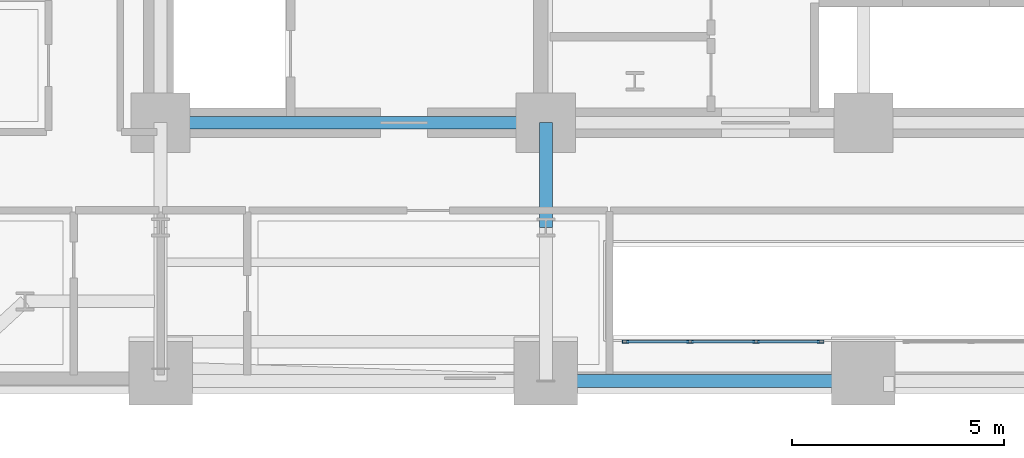
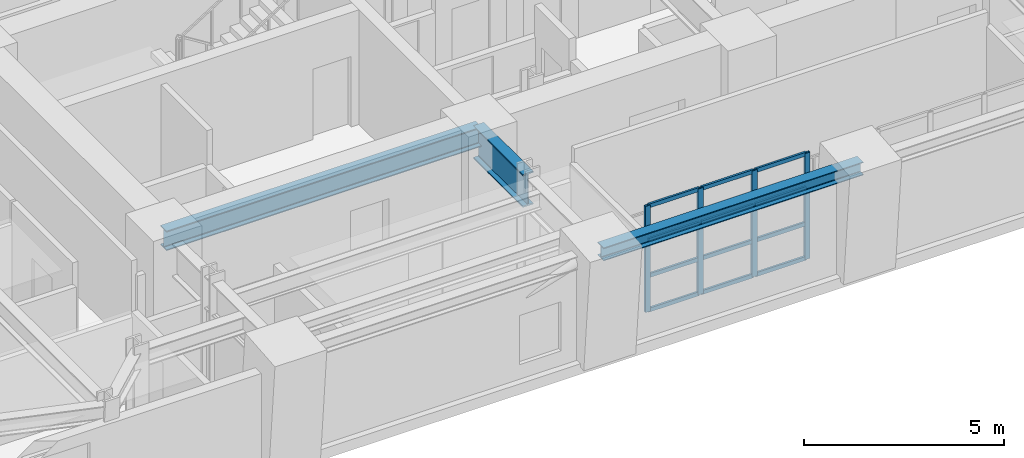
# One storey, part 2 of 16: 16 members, 3 beams, 1 element without a shape of its own.
"""IFC4 building model written with IfcOpenShell, lengths in metres."""

from ifc_helpers import new_model, si_unit, direction, frame, origin, origin_2d, place, context, subcontext, project, spatial, hollow_rectangle, i_section, extrude, material, layer, layer_set, material_profile, profile_set, type_object, element, aggregate, save


model = new_model("IFC4")

# Units and contexts
model_context = context("Model", 3, precision=1e-05, world=origin(), true_north=direction((0.0, 1.0)))
body_context = subcontext(model_context, "Body", "Model", "MODEL_VIEW")
ifc_project = project(units=[si_unit("LENGTHUNIT", "METRE"), si_unit("AREAUNIT", "SQUARE_METRE"), si_unit("VOLUMEUNIT", "CUBIC_METRE"), si_unit("PLANEANGLEUNIT", "RADIAN"), si_unit("MASSUNIT", "GRAM", prefix="KILO")], contexts=[model_context])

# Site, building, storey
site_placement = place(None, origin())
site = spatial("IfcSite", under=ifc_project, at=site_placement, CompositionType="ELEMENT")
building_placement = place(site_placement, origin())
building = spatial("IfcBuilding", under=site, at=building_placement, Name="Zarnavel Station Tower", CompositionType="ELEMENT")
storey_placement = place(building_placement, frame((0.0, 0.0, 46.5)))
storey = spatial("IfcBuildingStorey", under=building, at=storey_placement, Name="L12", CompositionType="ELEMENT", Elevation=46.5)

# Curtain wall, members
ifc_material_1 = material(Name="Aluminium Dark Anodised and Solar-Control Glass", Category="aluminium")
ifc_layer = layer(ifc_material_1, 0.179931640625)
ifc_layer_set = layer_set([ifc_layer], Name="CWS2")
curtain_wall_type = type_object("IfcCurtainWallType", Name="CWS2", PredefinedType="NOTDEFINED", material=ifc_layer_set)
curtain_wall_placement = place(storey_placement, origin())
curtain_wall = element("IfcCurtainWall", 1, at=curtain_wall_placement, inside=storey, type_object=curtain_wall_type, Name="L12 Curtain Wall CWS2-L12-AS-S1", PredefinedType="NOTDEFINED")
ifc_material_2 = material(Name="Steel S355J2 (Black Fluoropolymer Coated)", Category="steel")
ifc_material_profile_1 = material_profile(ifc_material_2, hollow_rectangle(XDim=0.074951171875, YDim=0.14990234375, WallThickness=0.00634765625, at=origin_2d()), Name="RHS150x75x6.3")
ifc_profile_set_1 = profile_set([ifc_material_profile_1], Name="Steel S355J2 (Black Fluoropolymer Coated)")
member_type_1 = type_object("IfcMemberType", Name="CWS2_MUL", PredefinedType="MULLION", material=ifc_profile_set_1)
member_1_placement = place(storey_placement, frame((23.179931640625, 22.64990234375, 0.0), z_axis=(0.0, 0.0, 1.0), x_axis=(0.0, 1.0, 0.0)))
member_1 = element("IfcMember", 2, at=member_1_placement, type_object=member_type_1, Name="CW2 mullion 1", PredefinedType="MULLION", context=body_context, shape_type="SweptSolid", body=[
    extrude(hollow_rectangle(XDim=0.074951171875, YDim=0.14990234375, WallThickness=0.00634765625, at=origin_2d()), origin(), (0.0, 0.0, 1.0), 3.239990234375),
])
member_2_placement = place(storey_placement, frame((24.706787109375, 22.64990234375, 0.0), z_axis=(0.0, 0.0, 1.0), x_axis=(0.0, 1.0, 0.0)))
member_2 = element("IfcMember", 3, at=member_2_placement, type_object=member_type_1, Name="CW2 mullion 2", PredefinedType="MULLION", context=body_context, shape_type="SweptSolid", body=[
    extrude(hollow_rectangle(XDim=0.074951171875, YDim=0.14990234375, WallThickness=0.00634765625, at=origin_2d()), origin(), (0.0, 0.0, 1.0), 3.239990234375),
])
member_3_placement = place(storey_placement, frame((26.263427734375, 22.64990234375, 0.0), z_axis=(0.0, 0.0, 1.0), x_axis=(0.0, 1.0, 0.0)))
member_3 = element("IfcMember", 4, at=member_3_placement, type_object=member_type_1, Name="CW2 mullion 3", PredefinedType="MULLION", context=body_context, shape_type="SweptSolid", body=[
    extrude(hollow_rectangle(XDim=0.074951171875, YDim=0.14990234375, WallThickness=0.00634765625, at=origin_2d()), origin(), (0.0, 0.0, 1.0), 3.239990234375),
])
member_4_placement = place(storey_placement, frame((27.7900390625, 22.64990234375, 0.0), z_axis=(0.0, 0.0, 1.0), x_axis=(0.0, 1.0, 0.0)))
member_4 = element("IfcMember", 5, at=member_4_placement, type_object=member_type_1, Name="CW2 mullion 4", PredefinedType="MULLION", context=body_context, shape_type="SweptSolid", body=[
    extrude(hollow_rectangle(XDim=0.074951171875, YDim=0.14990234375, WallThickness=0.00634765625, at=origin_2d()), origin(), (0.0, 0.0, 1.0), 3.239990234375),
])
ifc_material_3 = material(Name="Steel S355J2 (Black Fluoropolymer Coated)", Category="steel")
ifc_material_profile_2 = material_profile(ifc_material_3, hollow_rectangle(XDim=0.06005859375, YDim=0.1201171875, WallThickness=0.0048828125, at=origin_2d()), Name="RHS120x60x5")
ifc_profile_set_2 = profile_set([ifc_material_profile_2], Name="Steel S355J2 (Black Fluoropolymer Coated)")
member_type_2 = type_object("IfcMemberType", Name="CWS2_TRN", PredefinedType="USERDEFINED", material=ifc_profile_set_2)
member_5_placement = place(storey_placement, frame((23.2099609375, 22.64990234375, 0.030029296875), z_axis=(1.0, 0.0, 0.0), x_axis=(0.0, 1.0, 0.0)))
member_5 = element("IfcMember", 6, at=member_5_placement, type_object=member_type_2, Name="CW2 transom 1.1", ObjectType="TRANSOM", PredefinedType="USERDEFINED", context=body_context, shape_type="SweptSolid", body=[
    extrude(hollow_rectangle(XDim=0.06005859375, YDim=0.1201171875, WallThickness=0.0048828125, at=origin_2d()), origin(), (0.0, 0.0, 1.0), 1.466796875),
])
member_6_placement = place(storey_placement, frame((23.2099609375, 22.64990234375, 1.080078125), z_axis=(1.0, 0.0, 0.0), x_axis=(0.0, 1.0, 0.0)))
member_6 = element("IfcMember", 7, at=member_6_placement, type_object=member_type_2, Name="CW2 transom 1.2", ObjectType="TRANSOM", PredefinedType="USERDEFINED", context=body_context, shape_type="SweptSolid", body=[
    extrude(hollow_rectangle(XDim=0.06005859375, YDim=0.1201171875, WallThickness=0.0048828125, at=origin_2d()), origin(), (0.0, 0.0, 1.0), 1.466796875),
])
member_7_placement = place(storey_placement, frame((23.2099609375, 22.64990234375, 2.159912109375), z_axis=(1.0, 0.0, 0.0), x_axis=(0.0, 1.0, 0.0)))
member_7 = element("IfcMember", 8, at=member_7_placement, type_object=member_type_2, Name="CW2 transom 1.3", ObjectType="TRANSOM", PredefinedType="USERDEFINED", context=body_context, shape_type="SweptSolid", body=[
    extrude(hollow_rectangle(XDim=0.06005859375, YDim=0.1201171875, WallThickness=0.0048828125, at=origin_2d()), origin(), (0.0, 0.0, 1.0), 1.466796875),
])
member_8_placement = place(storey_placement, frame((23.2099609375, 22.64990234375, 3.2099609375), z_axis=(1.0, 0.0, 0.0), x_axis=(0.0, 1.0, 0.0)))
member_8 = element("IfcMember", 9, at=member_8_placement, type_object=member_type_2, Name="CW2 transom 1.4", ObjectType="TRANSOM", PredefinedType="USERDEFINED", context=body_context, shape_type="SweptSolid", body=[
    extrude(hollow_rectangle(XDim=0.06005859375, YDim=0.1201171875, WallThickness=0.0048828125, at=origin_2d()), origin(), (0.0, 0.0, 1.0), 1.466796875),
])
member_9_placement = place(storey_placement, frame((24.736572265625, 22.64990234375, 0.030029296875), z_axis=(1.0, 0.0, 0.0), x_axis=(0.0, 1.0, 0.0)))
member_9 = element("IfcMember", 10, at=member_9_placement, type_object=member_type_2, Name="CW2 transom 2.1", ObjectType="TRANSOM", PredefinedType="USERDEFINED", context=body_context, shape_type="SweptSolid", body=[
    extrude(hollow_rectangle(XDim=0.06005859375, YDim=0.1201171875, WallThickness=0.0048828125, at=origin_2d()), origin(), (0.0, 0.0, 1.0), 1.496826171875),
])
member_10_placement = place(storey_placement, frame((24.736572265625, 22.64990234375, 1.080078125), z_axis=(1.0, 0.0, 0.0), x_axis=(0.0, 1.0, 0.0)))
member_10 = element("IfcMember", 11, at=member_10_placement, type_object=member_type_2, Name="CW2 transom 2.2", ObjectType="TRANSOM", PredefinedType="USERDEFINED", context=body_context, shape_type="SweptSolid", body=[
    extrude(hollow_rectangle(XDim=0.06005859375, YDim=0.1201171875, WallThickness=0.0048828125, at=origin_2d()), origin(), (0.0, 0.0, 1.0), 1.496826171875),
])
member_11_placement = place(storey_placement, frame((24.736572265625, 22.64990234375, 2.159912109375), z_axis=(1.0, 0.0, 0.0), x_axis=(0.0, 1.0, 0.0)))
member_11 = element("IfcMember", 12, at=member_11_placement, type_object=member_type_2, Name="CW2 transom 2.3", ObjectType="TRANSOM", PredefinedType="USERDEFINED", context=body_context, shape_type="SweptSolid", body=[
    extrude(hollow_rectangle(XDim=0.06005859375, YDim=0.1201171875, WallThickness=0.0048828125, at=origin_2d()), origin(), (0.0, 0.0, 1.0), 1.496826171875),
])
member_12_placement = place(storey_placement, frame((24.736572265625, 22.64990234375, 3.2099609375), z_axis=(1.0, 0.0, 0.0), x_axis=(0.0, 1.0, 0.0)))
member_12 = element("IfcMember", 13, at=member_12_placement, type_object=member_type_2, Name="CW2 transom 2.4", ObjectType="TRANSOM", PredefinedType="USERDEFINED", context=body_context, shape_type="SweptSolid", body=[
    extrude(hollow_rectangle(XDim=0.06005859375, YDim=0.1201171875, WallThickness=0.0048828125, at=origin_2d()), origin(), (0.0, 0.0, 1.0), 1.496826171875),
])
member_13_placement = place(storey_placement, frame((26.293212890625, 22.64990234375, 0.030029296875), z_axis=(1.0, 0.0, 0.0), x_axis=(0.0, 1.0, 0.0)))
member_13 = element("IfcMember", 14, at=member_13_placement, type_object=member_type_2, Name="CW2 transom 3.1", ObjectType="TRANSOM", PredefinedType="USERDEFINED", context=body_context, shape_type="SweptSolid", body=[
    extrude(hollow_rectangle(XDim=0.06005859375, YDim=0.1201171875, WallThickness=0.0048828125, at=origin_2d()), origin(), (0.0, 0.0, 1.0), 1.466796875),
])
member_14_placement = place(storey_placement, frame((26.293212890625, 22.64990234375, 1.080078125), z_axis=(1.0, 0.0, 0.0), x_axis=(0.0, 1.0, 0.0)))
member_14 = element("IfcMember", 15, at=member_14_placement, type_object=member_type_2, Name="CW2 transom 3.2", ObjectType="TRANSOM", PredefinedType="USERDEFINED", context=body_context, shape_type="SweptSolid", body=[
    extrude(hollow_rectangle(XDim=0.06005859375, YDim=0.1201171875, WallThickness=0.0048828125, at=origin_2d()), origin(), (0.0, 0.0, 1.0), 1.466796875),
])
member_15_placement = place(storey_placement, frame((26.293212890625, 22.64990234375, 2.159912109375), z_axis=(1.0, 0.0, 0.0), x_axis=(0.0, 1.0, 0.0)))
member_15 = element("IfcMember", 16, at=member_15_placement, type_object=member_type_2, Name="CW2 transom 3.3", ObjectType="TRANSOM", PredefinedType="USERDEFINED", context=body_context, shape_type="SweptSolid", body=[
    extrude(hollow_rectangle(XDim=0.06005859375, YDim=0.1201171875, WallThickness=0.0048828125, at=origin_2d()), origin(), (0.0, 0.0, 1.0), 1.466796875),
])
member_16_placement = place(storey_placement, frame((26.293212890625, 22.64990234375, 3.2099609375), z_axis=(1.0, 0.0, 0.0), x_axis=(0.0, 1.0, 0.0)))
member_16 = element("IfcMember", 17, at=member_16_placement, type_object=member_type_2, Name="CW2 transom 3.4", ObjectType="TRANSOM", PredefinedType="USERDEFINED", context=body_context, shape_type="SweptSolid", body=[
    extrude(hollow_rectangle(XDim=0.06005859375, YDim=0.1201171875, WallThickness=0.0048828125, at=origin_2d()), origin(), (0.0, 0.0, 1.0), 1.466796875),
])
aggregate(curtain_wall, [member_1, member_2, member_3, member_4, member_5, member_6, member_7, member_8, member_9, member_10, member_11, member_12, member_13, member_14, member_15, member_16])

# Beams
ifc_material_4 = material(Name="Steel S355J2", Category="steel")
ifc_material_profile_3 = material_profile(ifc_material_4, i_section(OverallWidth=0.300048828125, OverallDepth=0.39990234375, WebThickness=0.013427734375, FlangeThickness=0.02392578125, FilletRadius=0.027099609375, at=origin_2d()), Name="HEB400")
ifc_profile_set_3 = profile_set([ifc_material_profile_3], Name="Steel S355J2")
beam_type_1 = type_object("IfcBeamType", Name="EB_HEB400", PredefinedType="SPANDREL", material=ifc_profile_set_3)
beam_1_placement = place(storey_placement, frame((21.300048828125, 21.720458984375, 3.0400390625), z_axis=(1.0, 0.0, 0.0), x_axis=(0.0, 1.0, 0.0)))
element("IfcBeam", 18, at=beam_1_placement, inside=storey, type_object=beam_type_1, Name="L12 South Raked Spandrel 2", PredefinedType="SPANDREL", context=body_context, shape_type="SweptSolid", body=[
    extrude(i_section(OverallWidth=0.300048828125, OverallDepth=0.39990234375, WebThickness=0.013427734375, FlangeThickness=0.02392578125, FilletRadius=0.027099609375, at=origin_2d()), origin(), (0.0, 0.0, 1.0), 7.5),
])
ifc_material_5 = material(Name="Steel S355J2", Category="steel")
ifc_material_profile_4 = material_profile(ifc_material_5, i_section(OverallWidth=0.300048828125, OverallDepth=0.60009765625, WebThickness=0.015380859375, FlangeThickness=0.030029296875, FilletRadius=0.027099609375, at=origin_2d()), Name="HEB600")
ifc_profile_set_4 = profile_set([ifc_material_profile_4], Name="Steel S355J2")
beam_type_2 = type_object("IfcBeamType", Name="FG_HEB600", PredefinedType="USERDEFINED", material=ifc_profile_set_4)
beam_2_placement = place(storey_placement, frame((12.199951171875, 27.820068359375, 2.93994140625), z_axis=(1.0, 0.0, 0.0), x_axis=(0.0, 1.0, 0.0)))
element("IfcBeam", 19, at=beam_2_placement, inside=storey, type_object=beam_type_2, Name="L12 Core Front Coupling Beam 1", ObjectType="GIRDER", PredefinedType="USERDEFINED", context=body_context, shape_type="SweptSolid", body=[
    extrude(i_section(OverallWidth=0.300048828125, OverallDepth=0.60009765625, WebThickness=0.015380859375, FlangeThickness=0.030029296875, FilletRadius=0.027099609375, at=origin_2d()), origin(), (0.0, 0.0, 1.0), 9.10009765625),
])
ifc_material_6 = material(Name="Steel S460M", Category="steel")
ifc_material_profile_5 = material_profile(ifc_material_6, i_section(OverallWidth=0.302001953125, OverallDepth=1.008056640625, WebThickness=0.02099609375, FlangeThickness=0.0400390625, FilletRadius=0.030029296875, at=origin_2d()), Name="HEM1000")
ifc_profile_set_5 = profile_set([ifc_material_profile_5], Name="Steel S460M")
beam_type_3 = type_object("IfcBeamType", Name="TG_HEM1000", PredefinedType="USERDEFINED", material=ifc_profile_set_5)
beam_3_placement = place(storey_placement, frame((21.300048828125, 25.35009765625, 2.736083984375), z_axis=(0.0, 1.0, 0.0), x_axis=(-1.0, 0.0, 0.0)))
element("IfcBeam", 20, at=beam_3_placement, inside=storey, type_object=beam_type_3, Name="L12 Inner-Zone NS Girder 2", ObjectType="GIRDER", PredefinedType="USERDEFINED", context=body_context, shape_type="SweptSolid", body=[
    extrude(i_section(OverallWidth=0.302001953125, OverallDepth=1.008056640625, WebThickness=0.02099609375, FlangeThickness=0.0400390625, FilletRadius=0.030029296875, at=origin_2d()), origin(), (0.0, 0.0, 1.0), 2.469970703125),
])

save(model, "model.ifc")
